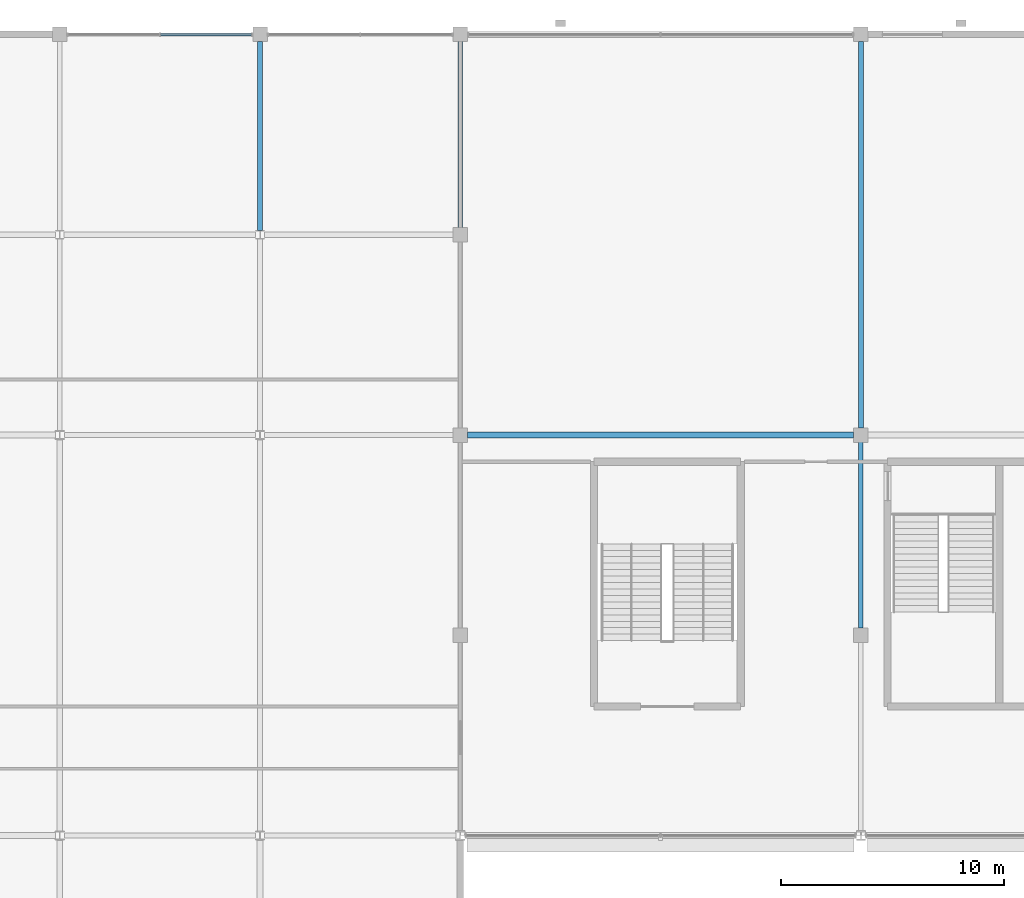
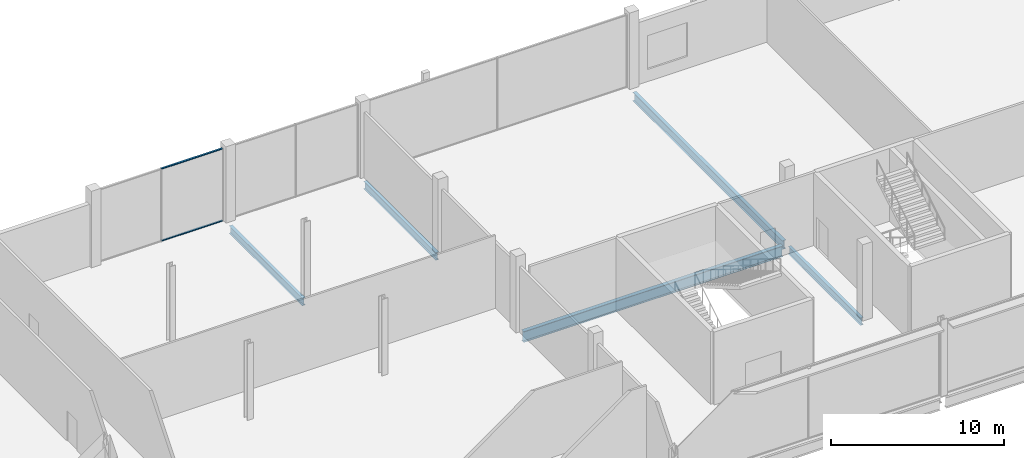
# One storey, part 31 of 111: 5 beams, 2 members, 1 element without a shape of its own.
"""IFC4 building model written with IfcOpenShell, lengths in metres."""

from ifc_helpers import new_model, si_unit, direction, frame, origin, origin_2d, place, context, subcontext, project, spatial, rectangle, i_section, extrude, material, layer, layer_set, material_profile, profile_set, type_object, element, aggregate, save


model = new_model("IFC4")

# Units and contexts
model_context = context("Model", 3, precision=1e-05, world=origin(), true_north=direction((0.0, 1.0)))
body_context = subcontext(model_context, "Body", "Model", "MODEL_VIEW")
ifc_project = project(units=[si_unit("LENGTHUNIT", "METRE"), si_unit("AREAUNIT", "SQUARE_METRE"), si_unit("VOLUMEUNIT", "CUBIC_METRE"), si_unit("PLANEANGLEUNIT", "RADIAN"), si_unit("MASSUNIT", "GRAM", prefix="KILO")], contexts=[model_context])

# Site, building, storey
site_placement = place(None, origin())
site = spatial("IfcSite", under=ifc_project, at=site_placement, CompositionType="ELEMENT")
building_placement = place(site_placement, origin())
building = spatial("IfcBuilding", under=site, at=building_placement, Name="Kisiwana Market Hall", CompositionType="ELEMENT")
storey_placement = place(building_placement, frame((0.0, 0.0, 11.39990234375)))
storey = spatial("IfcBuildingStorey", under=building, at=storey_placement, Name="L02", CompositionType="ELEMENT", Elevation=11.39990234375)

# Beams
ifc_material_1 = material(Name="Steel S355", Category="steel")
ifc_material_profile_1 = material_profile(ifc_material_1, i_section(OverallWidth=0.209228515625, OverallDepth=0.533203125, WebThickness=0.010009765625, FlangeThickness=0.015625, at=origin_2d()), Name="UB 533x210x92")
ifc_profile_set_1 = profile_set([ifc_material_profile_1], Name="Steel S355")
beam_type_1 = type_object("IfcBeamType", Name="BM-GIRD-UB533", PredefinedType="BEAM", material=ifc_profile_set_1)
beam_1_placement = place(storey_placement, frame((36.0, 111.19921875, -0.516357421875), z_axis=(0.0, 1.0, 0.0), x_axis=(-1.0, 0.0, 0.0)))
element("IfcBeam", 1, at=beam_1_placement, inside=storey, type_object=beam_type_1, Name="Primary girder B-0622", PredefinedType="BEAM", context=body_context, shape_type="SweptSolid", body=[
    extrude(i_section(OverallWidth=0.209228515625, OverallDepth=0.533203125, WebThickness=0.010009765625, FlangeThickness=0.015625, at=origin_2d()), origin(), (0.0, 0.0, 1.0), 8.479736328125),
])
for number, where, z_axis, x_axis, name in (
    (2, (45.0, 111.321044921875, -0.516357421875), (0.0, 1.0, 0.0), (-1.0, 0.0, 0.0), "Primary girder B-0630"),
    (3, (63.0, 93.321044921875, -0.516357421875), (0.0, 1.0, 0.0), (-1.0, 0.0, 0.0), "Primary girder B-0635"),
):
    element("IfcBeam", number, at=place(storey_placement, frame(where, z_axis=z_axis, x_axis=x_axis)), inside=storey, type_object=beam_type_1, Name=name, PredefinedType="BEAM", context=body_context, shape_type="SweptSolid", body=[
        extrude(i_section(OverallWidth=0.209228515625, OverallDepth=0.533203125, WebThickness=0.010009765625, FlangeThickness=0.015625, at=origin_2d()), origin(), (0.0, 0.0, 1.0), 8.35791015625),
    ])
ifc_material_2 = material(Name="Steel S355", Category="steel")
ifc_material_profile_2 = material_profile(ifc_material_2, i_section(OverallWidth=0.22900390625, OverallDepth=0.6123046875, WebThickness=0.011962890625, FlangeThickness=0.01953125, at=origin_2d()), Name="UB 610x229x125")
ifc_profile_set_2 = profile_set([ifc_material_profile_2], Name="Steel S355")
beam_type_2 = type_object("IfcBeamType", Name="BM-GIRD-UB610H", PredefinedType="BEAM", material=ifc_profile_set_2)
beam_2_placement = place(storey_placement, frame((63.0, 102.321044921875, -0.555908203125), z_axis=(0.0, 1.0, 0.0), x_axis=(-1.0, 0.0, 0.0)))
element("IfcBeam", 4, at=beam_2_placement, inside=storey, type_object=beam_type_2, Name="Primary girder B-0636", PredefinedType="BEAM", context=body_context, shape_type="SweptSolid", body=[
    extrude(i_section(OverallWidth=0.22900390625, OverallDepth=0.6123046875, WebThickness=0.011962890625, FlangeThickness=0.01953125, at=origin_2d()), origin(), (0.0, 0.0, 1.0), 17.35791015625),
])
ifc_material_3 = material(Name="Steel S355", Category="steel")
ifc_material_profile_3 = material_profile(ifc_material_3, i_section(OverallWidth=0.2666015625, OverallDepth=0.76220703125, WebThickness=0.014404296875, FlangeThickness=0.021484375, at=origin_2d()), Name="UB 762x267x173")
ifc_profile_set_3 = profile_set([ifc_material_profile_3], Name="Steel S355")
beam_type_3 = type_object("IfcBeamType", Name="BM-GIRD-UB762", PredefinedType="BEAM", material=ifc_profile_set_3)
beam_3_placement = place(storey_placement, frame((45.321044921875, 102.0, -0.631103515625), z_axis=(1.0, 0.0, 0.0), x_axis=(0.0, 1.0, 0.0)))
element("IfcBeam", 5, at=beam_3_placement, inside=storey, type_object=beam_type_3, Name="Floor beam B-0793", PredefinedType="BEAM", context=body_context, shape_type="SweptSolid", body=[
    extrude(i_section(OverallWidth=0.2666015625, OverallDepth=0.76220703125, WebThickness=0.014404296875, FlangeThickness=0.021484375, at=origin_2d()), origin(), (0.0, 0.0, 1.0), 17.35791015625),
])

# Curtain wall, members
ifc_material_4 = material(Name="Double-glazed solar-control low-E IGU", Category="glass")
ifc_layer = layer(ifc_material_4, 0.159912109375)
ifc_layer_set = layer_set([ifc_layer], Name="CW-GLD-E-7200")
curtain_wall_type = type_object("IfcCurtainWallType", Name="CW-GLD-E-7200", PredefinedType="USERDEFINED", material=ifc_layer_set)
curtain_wall_placement = place(storey_placement, origin())
curtain_wall = element("IfcCurtainWall", 6, at=curtain_wall_placement, inside=storey, type_object=curtain_wall_type, Name="Unitised curtain wall CW-080 (L02)", ObjectType="UNITISED CURTAIN WALL", PredefinedType="USERDEFINED")
ifc_material_5 = material(Name="Aluminium alloy 6063-T6", Category="aluminium")
ifc_material_profile_4 = material_profile(ifc_material_5, rectangle(XDim=0.1201171875, YDim=0.06005859375, at=origin_2d()), Name="ALU TRANSOM 60x120")
ifc_profile_set_4 = profile_set([ifc_material_profile_4], Name="Aluminium alloy 6063-T6")
member_type = type_object("IfcMemberType", Name="CW-TRAN-60x120", PredefinedType="USERDEFINED", material=ifc_profile_set_4)
member_1_placement = place(storey_placement, frame((31.530029296875, 120.0, 0.030029296875), z_axis=(1.0, 0.0, 0.0), x_axis=(0.0, 1.0, 0.0)))
member_1 = element("IfcMember", 7, at=member_1_placement, type_object=member_type, Name="CW-080 transom 2.1", ObjectType="TRANSOM", PredefinedType="USERDEFINED", context=body_context, shape_type="SweptSolid", body=[
    extrude(rectangle(XDim=0.1201171875, YDim=0.06005859375, at=origin_2d()), origin(), (0.0, 0.0, 1.0), 4.0849609375),
])
member_2_placement = place(storey_placement, frame((31.530029296875, 120.0, 5.1201171875), z_axis=(1.0, 0.0, 0.0), x_axis=(0.0, 1.0, 0.0)))
member_2 = element("IfcMember", 8, at=member_2_placement, type_object=member_type, Name="CW-080 transom 2.2", ObjectType="TRANSOM", PredefinedType="USERDEFINED", context=body_context, shape_type="SweptSolid", body=[
    extrude(rectangle(XDim=0.1201171875, YDim=0.06005859375, at=origin_2d()), origin(), (0.0, 0.0, 1.0), 4.0849609375),
])
aggregate(curtain_wall, [member_1, member_2])

save(model, "model.ifc")
